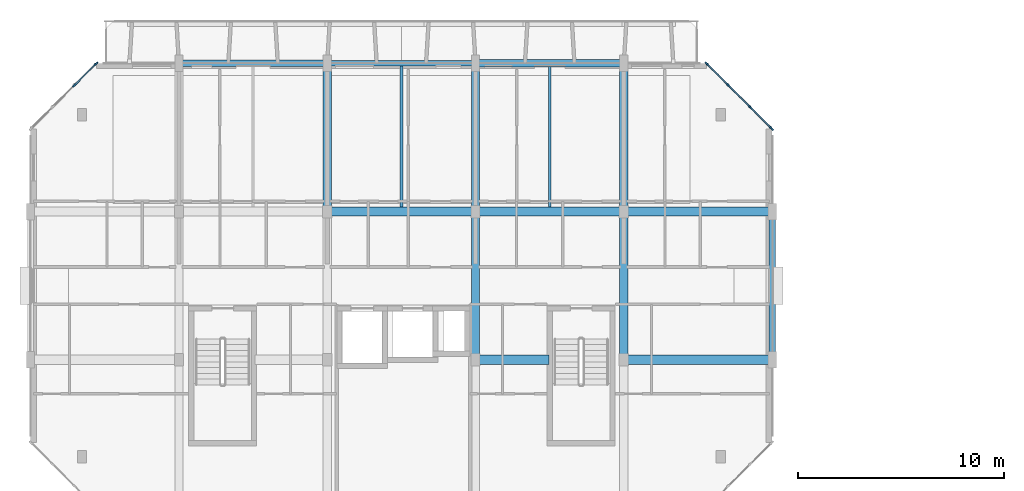
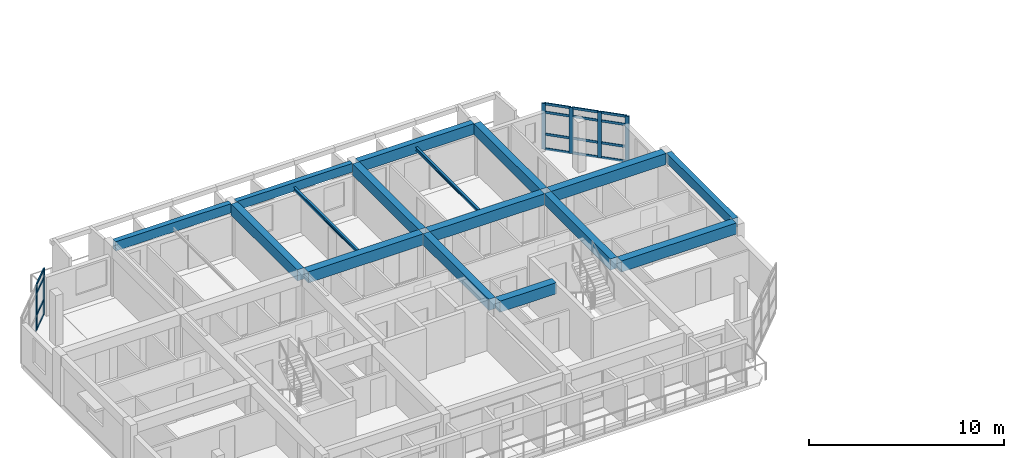
# One storey, part 6 of 40: 22 members, 16 beams, 2 elements without a shape of their own.
"""IFC4 building model written with IfcOpenShell, lengths in metres."""

from ifc_helpers import new_model, si_unit, direction, frame, origin, origin_2d, place, context, subcontext, project, spatial, rectangle, i_section, extrude, material, layer, layer_set, material_profile, profile_set, type_object, element, aggregate, save


model = new_model("IFC4")

# Units and contexts
model_context = context("Model", 3, precision=1e-05, world=origin(), true_north=direction((0.0, 1.0)))
body_context = subcontext(model_context, "Body", "Model", "MODEL_VIEW")
ifc_project = project(units=[si_unit("LENGTHUNIT", "METRE"), si_unit("AREAUNIT", "SQUARE_METRE"), si_unit("VOLUMEUNIT", "CUBIC_METRE"), si_unit("PLANEANGLEUNIT", "RADIAN"), si_unit("MASSUNIT", "GRAM", prefix="KILO")], contexts=[model_context])

# Site, building, storey
site_placement = place(None, origin())
site = spatial("IfcSite", under=ifc_project, at=site_placement, CompositionType="ELEMENT")
building_placement = place(site_placement, origin())
building = spatial("IfcBuilding", under=site, at=building_placement, Name="Ochrevale Crest", CompositionType="ELEMENT")
storey_placement = place(building_placement, frame((0.0, 0.0, 27.60009765625)))
storey = spatial("IfcBuildingStorey", under=building, at=storey_placement, Name="L08", CompositionType="ELEMENT", Elevation=27.60009765625)

# Beams
ifc_material_1 = material(Name="Precast concrete C50/60", Category="concrete")
ifc_material_profile_1 = material_profile(ifc_material_1, rectangle(XDim=0.39990234375, YDim=0.699951171875, at=origin_2d()), Name="PC 400x700")
ifc_profile_set_1 = profile_set([ifc_material_profile_1], Name="Precast concrete C50/60")
beam_type_1 = type_object("IfcBeamType", Name="BM-PC400x700", PredefinedType="BEAM", material=ifc_profile_set_1)
beam_1_placement = place(storey_placement, frame((14.39990234375, 86.60498046875, 2.7998046875), z_axis=(0.0, 1.0, 0.0), x_axis=(-1.0, 0.0, 0.0)))
element("IfcBeam", 1, at=beam_1_placement, inside=storey, type_object=beam_type_1, Name="Block B L08 N-S beam X=14.4", PredefinedType="BEAM", context=body_context, shape_type="SweptSolid", body=[
    extrude(rectangle(XDim=0.39990234375, YDim=0.699951171875, at=origin_2d()), origin(), (0.0, 0.0, 1.0), 6.81494140625),
])
beam_2_placement = place(storey_placement, frame((21.60009765625, 79.405029296875, 2.7998046875), z_axis=(0.0, 1.0, 0.0), x_axis=(-1.0, 0.0, 0.0)))
element("IfcBeam", 2, at=beam_2_placement, inside=storey, type_object=beam_type_1, Name="Block B L08 N-S beam X=21.6", PredefinedType="BEAM", context=body_context, shape_type="SweptSolid", body=[
    extrude(rectangle(XDim=0.39990234375, YDim=0.699951171875, at=origin_2d()), origin(), (0.0, 0.0, 1.0), 6.7900390625),
])
beam_3_placement = place(storey_placement, frame((21.60009765625, 86.60498046875, 2.7998046875), z_axis=(0.0, 1.0, 0.0), x_axis=(-1.0, 0.0, 0.0)))
element("IfcBeam", 3, at=beam_3_placement, inside=storey, type_object=beam_type_1, Name="Block B L08 N-S beam X=21.6", PredefinedType="BEAM", context=body_context, shape_type="SweptSolid", body=[
    extrude(rectangle(XDim=0.39990234375, YDim=0.699951171875, at=origin_2d()), origin(), (0.0, 0.0, 1.0), 6.81494140625),
])
beam_4_placement = place(storey_placement, frame((28.800048828125, 79.405029296875, 2.7998046875), z_axis=(0.0, 1.0, 0.0), x_axis=(-1.0, 0.0, 0.0)))
element("IfcBeam", 4, at=beam_4_placement, inside=storey, type_object=beam_type_1, Name="Block B L08 N-S beam X=28.8", PredefinedType="BEAM", context=body_context, shape_type="SweptSolid", body=[
    extrude(rectangle(XDim=0.39990234375, YDim=0.699951171875, at=origin_2d()), origin(), (0.0, 0.0, 1.0), 6.7900390625),
])
beam_5_placement = place(storey_placement, frame((28.800048828125, 86.60498046875, 2.7998046875), z_axis=(0.0, 1.0, 0.0), x_axis=(-1.0, 0.0, 0.0)))
element("IfcBeam", 5, at=beam_5_placement, inside=storey, type_object=beam_type_1, Name="Block B L08 N-S beam X=28.8", PredefinedType="BEAM", context=body_context, shape_type="SweptSolid", body=[
    extrude(rectangle(XDim=0.39990234375, YDim=0.699951171875, at=origin_2d()), origin(), (0.0, 0.0, 1.0), 6.81494140625),
])
ifc_material_2 = material(Name="Concrete C50/60", Category="concrete")
ifc_material_profile_2 = material_profile(ifc_material_2, rectangle(XDim=0.449951171875, YDim=0.699951171875, at=origin_2d()), Name="RC 450x700")
ifc_profile_set_2 = profile_set([ifc_material_profile_2], Name="Concrete C50/60")
beam_type_2 = type_object("IfcBeamType", Name="BM-PG450x700", PredefinedType="USERDEFINED", material=ifc_profile_set_2)
beam_6_placement = place(storey_placement, frame((21.800048828125, 79.199951171875, 2.7998046875), z_axis=(1.0, 0.0, 0.0), x_axis=(0.0, 1.0, 0.0)))
element("IfcBeam", 6, at=beam_6_placement, inside=storey, type_object=beam_type_2, Name="Block B L08 E-W beam Y=79.2", ObjectType="GIRDER", PredefinedType="USERDEFINED", context=body_context, shape_type="SweptSolid", body=[
    extrude(rectangle(XDim=0.449951171875, YDim=0.699951171875, at=origin_2d()), origin(), (0.0, 0.0, 1.0), 3.35986328125),
])
beam_7_placement = place(storey_placement, frame((29.0, 79.199951171875, 2.7998046875), z_axis=(1.0, 0.0, 0.0), x_axis=(0.0, 1.0, 0.0)))
element("IfcBeam", 7, at=beam_7_placement, inside=storey, type_object=beam_type_2, Name="Block B L08 E-W beam Y=79.2", ObjectType="GIRDER", PredefinedType="USERDEFINED", context=body_context, shape_type="SweptSolid", body=[
    extrude(rectangle(XDim=0.449951171875, YDim=0.699951171875, at=origin_2d()), origin(), (0.0, 0.0, 1.0), 6.824951171875),
])
beam_8_placement = place(storey_placement, frame((14.60009765625, 86.39990234375, 2.7998046875), z_axis=(1.0, 0.0, 0.0), x_axis=(0.0, 1.0, 0.0)))
element("IfcBeam", 8, at=beam_8_placement, inside=storey, type_object=beam_type_2, Name="Block B L08 E-W beam Y=86.4", ObjectType="GIRDER", PredefinedType="USERDEFINED", context=body_context, shape_type="SweptSolid", body=[
    extrude(rectangle(XDim=0.449951171875, YDim=0.699951171875, at=origin_2d()), origin(), (0.0, 0.0, 1.0), 6.7998046875),
])
beam_9_placement = place(storey_placement, frame((21.800048828125, 86.39990234375, 2.7998046875), z_axis=(1.0, 0.0, 0.0), x_axis=(0.0, 1.0, 0.0)))
element("IfcBeam", 9, at=beam_9_placement, inside=storey, type_object=beam_type_2, Name="Block B L08 E-W beam Y=86.4", ObjectType="GIRDER", PredefinedType="USERDEFINED", context=body_context, shape_type="SweptSolid", body=[
    extrude(rectangle(XDim=0.449951171875, YDim=0.699951171875, at=origin_2d()), origin(), (0.0, 0.0, 1.0), 6.800048828125),
])
beam_10_placement = place(storey_placement, frame((29.0, 86.39990234375, 2.7998046875), z_axis=(1.0, 0.0, 0.0), x_axis=(0.0, 1.0, 0.0)))
element("IfcBeam", 10, at=beam_10_placement, inside=storey, type_object=beam_type_2, Name="Block B L08 E-W beam Y=86.4", ObjectType="GIRDER", PredefinedType="USERDEFINED", context=body_context, shape_type="SweptSolid", body=[
    extrude(rectangle(XDim=0.449951171875, YDim=0.699951171875, at=origin_2d()), origin(), (0.0, 0.0, 1.0), 6.824951171875),
])
ifc_material_3 = material(Name="Precast concrete C40/50", Category="concrete")
ifc_material_profile_3 = material_profile(ifc_material_3, rectangle(XDim=0.280029296875, YDim=0.550048828125, at=origin_2d()), Name="PC 280x550")
ifc_profile_set_3 = profile_set([ifc_material_profile_3], Name="Precast concrete C40/50")
beam_type_3 = type_object("IfcBeamType", Name="BM-SP280x550", PredefinedType="SPANDREL", material=ifc_profile_set_3)
beam_11_placement = place(storey_placement, frame((14.574951171875, 93.60009765625, 2.875), z_axis=(1.0, 0.0, 0.0), x_axis=(0.0, 1.0, 0.0)))
element("IfcBeam", 11, at=beam_11_placement, inside=storey, type_object=beam_type_3, Name="Block B L08 E-W beam Y=93.6", PredefinedType="SPANDREL", context=body_context, shape_type="SweptSolid", body=[
    extrude(rectangle(XDim=0.280029296875, YDim=0.550048828125, at=origin_2d()), origin(), (0.0, 0.0, 1.0), 6.85009765625),
])
ifc_material_profile_4 = material_profile(ifc_material_3, rectangle(XDim=0.300048828125, YDim=0.580078125, at=origin_2d()), Name="PC 300x580")
ifc_profile_set_4 = profile_set([ifc_material_profile_4], Name="Precast concrete C40/50")
beam_type_4 = type_object("IfcBeamType", Name="BM-SP300x580", PredefinedType="SPANDREL", material=ifc_profile_set_4)
beam_12_placement = place(storey_placement, frame((7.375, 93.60009765625, 2.85986328125), z_axis=(1.0, 0.0, 0.0), x_axis=(0.0, 1.0, 0.0)))
element("IfcBeam", 12, at=beam_12_placement, inside=storey, type_object=beam_type_4, Name="Block B L08 E-W beam Y=93.6", PredefinedType="SPANDREL", context=body_context, shape_type="SweptSolid", body=[
    extrude(rectangle(XDim=0.300048828125, YDim=0.580078125, at=origin_2d()), origin(), (0.0, 0.0, 1.0), 6.85009765625),
])
ifc_material_profile_5 = material_profile(ifc_material_3, rectangle(XDim=0.300048828125, YDim=0.60009765625, at=origin_2d()), Name="PC 300x600")
ifc_profile_set_5 = profile_set([ifc_material_profile_5], Name="Precast concrete C40/50")
beam_type_5 = type_object("IfcBeamType", Name="BM-SP300x600", PredefinedType="SPANDREL", material=ifc_profile_set_5)
beam_13_placement = place(storey_placement, frame((36.0, 79.3798828125, 2.849853515625), z_axis=(0.0, 1.0, 0.0), x_axis=(-1.0, 0.0, 0.0)))
element("IfcBeam", 13, at=beam_13_placement, inside=storey, type_object=beam_type_5, Name="Block B L08 N-S beam X=36.0", PredefinedType="SPANDREL", context=body_context, shape_type="SweptSolid", body=[
    extrude(rectangle(XDim=0.300048828125, YDim=0.60009765625, at=origin_2d()), origin(), (0.0, 0.0, 1.0), 6.840087890625),
])
ifc_material_profile_6 = material_profile(ifc_material_3, rectangle(XDim=0.35009765625, YDim=0.679931640625, at=origin_2d()), Name="PC 350x680")
ifc_profile_set_6 = profile_set([ifc_material_profile_6], Name="Precast concrete C40/50")
beam_type_6 = type_object("IfcBeamType", Name="BM-SP350x680", PredefinedType="SPANDREL", material=ifc_profile_set_6)
beam_14_placement = place(storey_placement, frame((21.77490234375, 93.60009765625, 2.809814453125), z_axis=(1.0, 0.0, 0.0), x_axis=(0.0, 1.0, 0.0)))
element("IfcBeam", 14, at=beam_14_placement, inside=storey, type_object=beam_type_6, Name="Block B L08 E-W beam Y=93.6", PredefinedType="SPANDREL", context=body_context, shape_type="SweptSolid", body=[
    extrude(rectangle(XDim=0.35009765625, YDim=0.679931640625, at=origin_2d()), origin(), (0.0, 0.0, 1.0), 6.85009765625),
])
ifc_material_4 = material(Name="Steel S355", Category="steel")
ifc_material_profile_7 = material_profile(ifc_material_4, i_section(OverallWidth=0.13330078125, OverallDepth=0.203125, WebThickness=0.005859375, FlangeThickness=0.0078125, FilletRadius=0.0087890625, at=origin_2d()), Name="200UB25.4")
ifc_profile_set_7 = profile_set([ifc_material_profile_7], Name="Steel S355")
beam_type_7 = type_object("IfcBeamType", Name="BM-UB200A", PredefinedType="JOIST", material=ifc_profile_set_7)
beam_15_placement = place(storey_placement, frame((18.0, 86.613037109375, 2.773193359375), z_axis=(0.0, 1.0, 0.0), x_axis=(-1.0, 0.0, 0.0)))
element("IfcBeam", 15, at=beam_15_placement, inside=storey, type_object=beam_type_7, Name="Block B L08 composite plank trimmer beam 3", PredefinedType="JOIST", context=body_context, shape_type="SweptSolid", body=[
    extrude(i_section(OverallWidth=0.13330078125, OverallDepth=0.203125, WebThickness=0.005859375, FlangeThickness=0.0078125, FilletRadius=0.0087890625, at=origin_2d()), origin(), (0.0, 0.0, 1.0), 6.85888671875),
])
ifc_material_profile_8 = material_profile(ifc_material_4, i_section(OverallWidth=0.134033203125, OverallDepth=0.20703125, WebThickness=0.00634765625, FlangeThickness=0.009521484375, FilletRadius=0.0087890625, at=origin_2d()), Name="200UB29.8")
ifc_profile_set_8 = profile_set([ifc_material_profile_8], Name="Steel S355")
beam_type_8 = type_object("IfcBeamType", Name="BM-UB200B", PredefinedType="JOIST", material=ifc_profile_set_8)
beam_16_placement = place(storey_placement, frame((25.199951171875, 86.613037109375, 2.771484375), z_axis=(0.0, 1.0, 0.0), x_axis=(-1.0, 0.0, 0.0)))
element("IfcBeam", 16, at=beam_16_placement, inside=storey, type_object=beam_type_8, Name="Block B L08 composite plank trimmer beam 4", PredefinedType="JOIST", context=body_context, shape_type="SweptSolid", body=[
    extrude(i_section(OverallWidth=0.134033203125, OverallDepth=0.20703125, WebThickness=0.00634765625, FlangeThickness=0.009521484375, FilletRadius=0.0087890625, at=origin_2d()), origin(), (0.0, 0.0, 1.0), 6.823974609375),
])

# Curtain wall, members
ifc_material_5 = material(Name="Anodised aluminium 6063-T5", Category="aluminium")
ifc_layer_1 = layer(ifc_material_5, 0.14990234375)
ifc_layer_set_1 = layer_set([ifc_layer_1], Name="Anodised aluminium 6063-T5")
curtain_wall_type_1 = type_object("IfcCurtainWallType", Name="CW-WG-320x285", PredefinedType="NOTDEFINED", material=ifc_layer_set_1)
curtain_wall_1_placement = place(storey_placement, origin())
curtain_wall_1 = element("IfcCurtainWall", 17, at=curtain_wall_1_placement, inside=storey, type_object=curtain_wall_type_1, Name="Block B L08 chamfered corner wintergarden curtain wall 4", PredefinedType="NOTDEFINED")
ifc_material_profile_9 = material_profile(ifc_material_5, rectangle(XDim=0.074951171875, YDim=0.219970703125, at=origin_2d()), Name="ALU 75x220")
ifc_profile_set_9 = profile_set([ifc_material_profile_9], Name="Anodised aluminium 6063-T5")
member_type_1 = type_object("IfcMemberType", Name="CW-MUL-75x220", PredefinedType="MULLION", material=ifc_profile_set_9)
member_1_placement = place(storey_placement, frame((35.973388671875, 90.426513671875, 0.0), z_axis=(0.0, 0.0, 1.0), x_axis=(-0.707106781187, -0.707106781187, 0.0)))
member_1 = element("IfcMember", 18, at=member_1_placement, type_object=member_type_1, Name="CW17 mullion 1", PredefinedType="MULLION", context=body_context, shape_type="SweptSolid", body=[
    extrude(rectangle(XDim=0.074951171875, YDim=0.219970703125, at=origin_2d()), origin(), (0.0, 0.0, 1.0), 2.875),
])
member_2_placement = place(storey_placement, frame((34.933349609375, 91.466552734375, 0.0), z_axis=(0.0, 0.0, 1.0), x_axis=(-0.707106781187, -0.707106781187, 0.0)))
member_2 = element("IfcMember", 19, at=member_2_placement, type_object=member_type_1, Name="CW17 mullion 2", PredefinedType="MULLION", context=body_context, shape_type="SweptSolid", body=[
    extrude(rectangle(XDim=0.074951171875, YDim=0.219970703125, at=origin_2d()), origin(), (0.0, 0.0, 1.0), 2.875),
])
member_3_placement = place(storey_placement, frame((33.86669921875, 92.533447265625, 0.0), z_axis=(0.0, 0.0, 1.0), x_axis=(-0.707106781187, -0.707106781187, 0.0)))
member_3 = element("IfcMember", 20, at=member_3_placement, type_object=member_type_1, Name="CW17 mullion 3", PredefinedType="MULLION", context=body_context, shape_type="SweptSolid", body=[
    extrude(rectangle(XDim=0.074951171875, YDim=0.219970703125, at=origin_2d()), origin(), (0.0, 0.0, 1.0), 2.875),
])
member_4_placement = place(storey_placement, frame((32.826416015625, 93.573486328125, 0.0), z_axis=(0.0, 0.0, 1.0), x_axis=(-0.707106781187, -0.707106781187, 0.0)))
member_4 = element("IfcMember", 21, at=member_4_placement, type_object=member_type_1, Name="CW17 mullion 4", PredefinedType="MULLION", context=body_context, shape_type="SweptSolid", body=[
    extrude(rectangle(XDim=0.074951171875, YDim=0.219970703125, at=origin_2d()), origin(), (0.0, 0.0, 1.0), 2.875),
])

ifc_layer_2 = layer(ifc_material_5, 0.14990234375)
ifc_layer_set_2 = layer_set([ifc_layer_2], Name="Anodised aluminium 6063-T5")
curtain_wall_type_2 = type_object("IfcCurtainWallType", Name="CW-WG-420x285", PredefinedType="NOTDEFINED", material=ifc_layer_set_2)
curtain_wall_2_placement = place(storey_placement, origin())
curtain_wall_2 = element("IfcCurtainWall", 22, at=curtain_wall_2_placement, inside=storey, type_object=curtain_wall_type_2, Name="Block B L08 chamfered corner wintergarden curtain wall 6", PredefinedType="NOTDEFINED")
member_5_placement = place(storey_placement, frame((3.173583984375, 93.573486328125, 0.0), z_axis=(0.0, 0.0, 1.0), x_axis=(0.707106781187, -0.707106781187, 0.0)))
member_5 = element("IfcMember", 23, at=member_5_placement, type_object=member_type_1, Name="CW22 mullion 1", PredefinedType="MULLION", context=body_context, shape_type="SweptSolid", body=[
    extrude(rectangle(XDim=0.074951171875, YDim=0.219970703125, at=origin_2d()), origin(), (0.0, 0.0, 1.0), 2.875),
])
member_6_placement = place(storey_placement, frame((2.13330078125, 92.533447265625, 0.0), z_axis=(0.0, 0.0, 1.0), x_axis=(0.707106781187, -0.707106781187, 0.0)))
member_6 = element("IfcMember", 24, at=member_6_placement, type_object=member_type_1, Name="CW22 mullion 2", PredefinedType="MULLION", context=body_context, shape_type="SweptSolid", body=[
    extrude(rectangle(XDim=0.074951171875, YDim=0.219970703125, at=origin_2d()), origin(), (0.0, 0.0, 1.0), 2.875),
])

# Member
ifc_material_profile_10 = material_profile(ifc_material_5, rectangle(XDim=0.06005859375, YDim=0.14990234375, at=origin_2d()), Name="ALU 60x150")
ifc_profile_set_10 = profile_set([ifc_material_profile_10], Name="Anodised aluminium 6063-T5")
member_type_2 = type_object("IfcMemberType", Name="CW-TRN-60x150", PredefinedType="USERDEFINED", material=ifc_profile_set_10)
member_7_placement = place(storey_placement, frame((35.947021484375, 90.453125, 0.02978515625), z_axis=(-0.707106781187, 0.707106781187, 0.0), x_axis=(-0.707106781187, -0.707106781187, 0.0)))
member_7 = element("IfcMember", 25, at=member_7_placement, type_object=member_type_2, Name="CW17 transom 1.1", ObjectType="TRANSOM", PredefinedType="USERDEFINED", context=body_context, shape_type="SweptSolid", body=[
    extrude(rectangle(XDim=0.06005859375, YDim=0.14990234375, at=origin_2d()), origin(), (0.0, 0.0, 1.0), 1.39599609375),
])

member_8_placement = place(storey_placement, frame((35.947021484375, 90.453125, 0.949951171875), z_axis=(-0.707106781187, 0.707106781187, 0.0), x_axis=(-0.707106781187, -0.707106781187, 0.0)))
member_8 = element("IfcMember", 26, at=member_8_placement, type_object=member_type_2, Name="CW17 transom 1.2", ObjectType="TRANSOM", PredefinedType="USERDEFINED", context=body_context, shape_type="SweptSolid", body=[
    extrude(rectangle(XDim=0.06005859375, YDim=0.14990234375, at=origin_2d()), origin(), (0.0, 0.0, 1.0), 1.39599609375),
])

member_9_placement = place(storey_placement, frame((35.947021484375, 90.453125, 2.324951171875), z_axis=(-0.707106781187, 0.707106781187, 0.0), x_axis=(-0.707106781187, -0.707106781187, 0.0)))
member_9 = element("IfcMember", 27, at=member_9_placement, type_object=member_type_2, Name="CW17 transom 1.3", ObjectType="TRANSOM", PredefinedType="USERDEFINED", context=body_context, shape_type="SweptSolid", body=[
    extrude(rectangle(XDim=0.06005859375, YDim=0.14990234375, at=origin_2d()), origin(), (0.0, 0.0, 1.0), 1.39599609375),
])

member_10_placement = place(storey_placement, frame((35.947021484375, 90.453125, 2.844970703125), z_axis=(-0.707106781187, 0.707106781187, 0.0), x_axis=(-0.707106781187, -0.707106781187, 0.0)))
member_10 = element("IfcMember", 28, at=member_10_placement, type_object=member_type_2, Name="CW17 transom 1.4", ObjectType="TRANSOM", PredefinedType="USERDEFINED", context=body_context, shape_type="SweptSolid", body=[
    extrude(rectangle(XDim=0.06005859375, YDim=0.14990234375, at=origin_2d()), origin(), (0.0, 0.0, 1.0), 1.39599609375),
])

member_11_placement = place(storey_placement, frame((34.90673828125, 91.4931640625, 0.02978515625), z_axis=(-0.707106781187, 0.707106781187, 0.0), x_axis=(-0.707106781187, -0.707106781187, 0.0)))
member_11 = element("IfcMember", 29, at=member_11_placement, type_object=member_type_2, Name="CW17 transom 2.1", ObjectType="TRANSOM", PredefinedType="USERDEFINED", context=body_context, shape_type="SweptSolid", body=[
    extrude(rectangle(XDim=0.06005859375, YDim=0.14990234375, at=origin_2d()), origin(), (0.0, 0.0, 1.0), 1.43359375),
])

member_12_placement = place(storey_placement, frame((34.90673828125, 91.4931640625, 0.949951171875), z_axis=(-0.707106781187, 0.707106781187, 0.0), x_axis=(-0.707106781187, -0.707106781187, 0.0)))
member_12 = element("IfcMember", 30, at=member_12_placement, type_object=member_type_2, Name="CW17 transom 2.2", ObjectType="TRANSOM", PredefinedType="USERDEFINED", context=body_context, shape_type="SweptSolid", body=[
    extrude(rectangle(XDim=0.06005859375, YDim=0.14990234375, at=origin_2d()), origin(), (0.0, 0.0, 1.0), 1.43359375),
])

member_13_placement = place(storey_placement, frame((34.90673828125, 91.4931640625, 2.324951171875), z_axis=(-0.707106781187, 0.707106781187, 0.0), x_axis=(-0.707106781187, -0.707106781187, 0.0)))
member_13 = element("IfcMember", 31, at=member_13_placement, type_object=member_type_2, Name="CW17 transom 2.3", ObjectType="TRANSOM", PredefinedType="USERDEFINED", context=body_context, shape_type="SweptSolid", body=[
    extrude(rectangle(XDim=0.06005859375, YDim=0.14990234375, at=origin_2d()), origin(), (0.0, 0.0, 1.0), 1.43359375),
])

member_14_placement = place(storey_placement, frame((34.90673828125, 91.4931640625, 2.844970703125), z_axis=(-0.707106781187, 0.707106781187, 0.0), x_axis=(-0.707106781187, -0.707106781187, 0.0)))
member_14 = element("IfcMember", 32, at=member_14_placement, type_object=member_type_2, Name="CW17 transom 2.4", ObjectType="TRANSOM", PredefinedType="USERDEFINED", context=body_context, shape_type="SweptSolid", body=[
    extrude(rectangle(XDim=0.06005859375, YDim=0.14990234375, at=origin_2d()), origin(), (0.0, 0.0, 1.0), 1.43359375),
])

member_15_placement = place(storey_placement, frame((33.840087890625, 92.559814453125, 0.02978515625), z_axis=(-0.707106781187, 0.707106781187, 0.0), x_axis=(-0.707106781187, -0.707106781187, 0.0)))
member_15 = element("IfcMember", 33, at=member_15_placement, type_object=member_type_2, Name="CW17 transom 3.1", ObjectType="TRANSOM", PredefinedType="USERDEFINED", context=body_context, shape_type="SweptSolid", body=[
    extrude(rectangle(XDim=0.06005859375, YDim=0.14990234375, at=origin_2d()), origin(), (0.0, 0.0, 1.0), 1.39599609375),
])

member_16_placement = place(storey_placement, frame((33.840087890625, 92.559814453125, 0.949951171875), z_axis=(-0.707106781187, 0.707106781187, 0.0), x_axis=(-0.707106781187, -0.707106781187, 0.0)))
member_16 = element("IfcMember", 34, at=member_16_placement, type_object=member_type_2, Name="CW17 transom 3.2", ObjectType="TRANSOM", PredefinedType="USERDEFINED", context=body_context, shape_type="SweptSolid", body=[
    extrude(rectangle(XDim=0.06005859375, YDim=0.14990234375, at=origin_2d()), origin(), (0.0, 0.0, 1.0), 1.39599609375),
])

member_17_placement = place(storey_placement, frame((33.840087890625, 92.559814453125, 2.324951171875), z_axis=(-0.707106781187, 0.707106781187, 0.0), x_axis=(-0.707106781187, -0.707106781187, 0.0)))
member_17 = element("IfcMember", 35, at=member_17_placement, type_object=member_type_2, Name="CW17 transom 3.3", ObjectType="TRANSOM", PredefinedType="USERDEFINED", context=body_context, shape_type="SweptSolid", body=[
    extrude(rectangle(XDim=0.06005859375, YDim=0.14990234375, at=origin_2d()), origin(), (0.0, 0.0, 1.0), 1.39599609375),
])

member_18_placement = place(storey_placement, frame((33.840087890625, 92.559814453125, 2.844970703125), z_axis=(-0.707106781187, 0.707106781187, 0.0), x_axis=(-0.707106781187, -0.707106781187, 0.0)))
member_18 = element("IfcMember", 36, at=member_18_placement, type_object=member_type_2, Name="CW17 transom 3.4", ObjectType="TRANSOM", PredefinedType="USERDEFINED", context=body_context, shape_type="SweptSolid", body=[
    extrude(rectangle(XDim=0.06005859375, YDim=0.14990234375, at=origin_2d()), origin(), (0.0, 0.0, 1.0), 1.39599609375),
])

aggregate(curtain_wall_1, [member_1, member_2, member_3, member_4, member_7, member_8, member_9, member_10, member_11, member_12, member_13, member_14, member_15, member_16, member_17, member_18])

member_19_placement = place(storey_placement, frame((3.14697265625, 93.546875, 0.02978515625), z_axis=(-0.707106781187, -0.707106781187, 0.0), x_axis=(0.707106781187, -0.707106781187, 0.0)))
member_19 = element("IfcMember", 37, at=member_19_placement, type_object=member_type_2, Name="CW22 transom 1.1", ObjectType="TRANSOM", PredefinedType="USERDEFINED", context=body_context, shape_type="SweptSolid", body=[
    extrude(rectangle(XDim=0.06005859375, YDim=0.14990234375, at=origin_2d()), origin(), (0.0, 0.0, 1.0), 1.39599609375),
])

member_20_placement = place(storey_placement, frame((3.14697265625, 93.546875, 0.949951171875), z_axis=(-0.707106781187, -0.707106781187, 0.0), x_axis=(0.707106781187, -0.707106781187, 0.0)))
member_20 = element("IfcMember", 38, at=member_20_placement, type_object=member_type_2, Name="CW22 transom 1.2", ObjectType="TRANSOM", PredefinedType="USERDEFINED", context=body_context, shape_type="SweptSolid", body=[
    extrude(rectangle(XDim=0.06005859375, YDim=0.14990234375, at=origin_2d()), origin(), (0.0, 0.0, 1.0), 1.39599609375),
])

member_21_placement = place(storey_placement, frame((3.14697265625, 93.546875, 2.324951171875), z_axis=(-0.707106781187, -0.707106781187, 0.0), x_axis=(0.707106781187, -0.707106781187, 0.0)))
member_21 = element("IfcMember", 39, at=member_21_placement, type_object=member_type_2, Name="CW22 transom 1.3", ObjectType="TRANSOM", PredefinedType="USERDEFINED", context=body_context, shape_type="SweptSolid", body=[
    extrude(rectangle(XDim=0.06005859375, YDim=0.14990234375, at=origin_2d()), origin(), (0.0, 0.0, 1.0), 1.39599609375),
])

member_22_placement = place(storey_placement, frame((3.14697265625, 93.546875, 2.844970703125), z_axis=(-0.707106781187, -0.707106781187, 0.0), x_axis=(0.707106781187, -0.707106781187, 0.0)))
member_22 = element("IfcMember", 40, at=member_22_placement, type_object=member_type_2, Name="CW22 transom 1.4", ObjectType="TRANSOM", PredefinedType="USERDEFINED", context=body_context, shape_type="SweptSolid", body=[
    extrude(rectangle(XDim=0.06005859375, YDim=0.14990234375, at=origin_2d()), origin(), (0.0, 0.0, 1.0), 1.39599609375),
])

aggregate(curtain_wall_2, [member_5, member_6, member_19, member_20, member_21, member_22])

save(model, "model.ifc")
